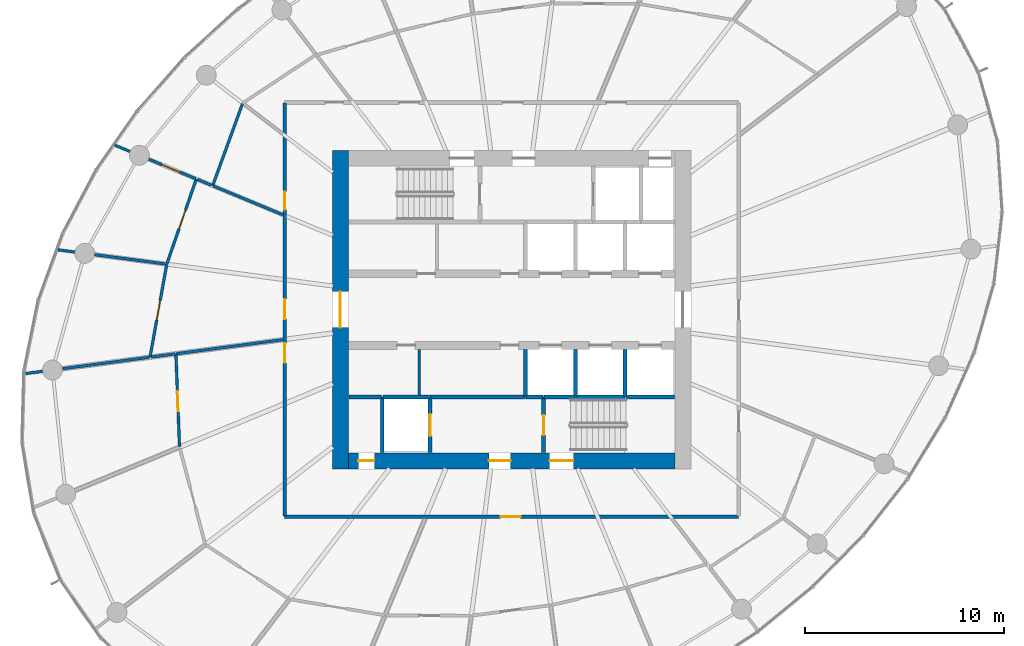
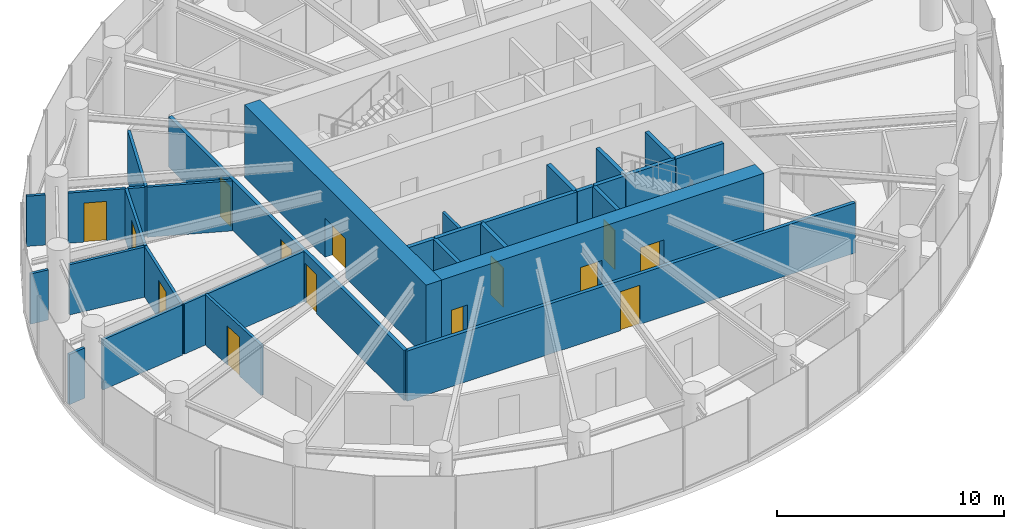
# One storey, part 9 of 15: 32 walls, 14 doors, 14 openings.
"""IFC4 building model written with IfcOpenShell, lengths in metres."""

import ifcopenshell
import ifcopenshell.guid

model = None  # the IFC model being written
_history = None  # IfcOwnerHistory: only IFC2X3 demands one
_inside = {}  # id of a spatial element -> (the spatial element, [elements in it])
_under = {}  # id of a project, library or spatial element -> (it, [spatial elements below it])
_declared = {}  # id of a project -> (the project, [libraries it declares])
_typed = {}  # id of a type object -> (the type object, [elements of that type])
_made_of = {}  # id of a material, layer set ... -> (it, [elements and type objects made of it])


def new_model(schema):
    """Start an empty IFC model of exactly this schema.

    Asked for "IFC4X3", IfcOpenShell would pick the latest addendum, in which some entities
    have other attributes; the version numbers below select the first issue.
    IFC2X3 requires an IfcOwnerHistory on every rooted entity: one is made here for all.
    """
    global model, _history
    if schema == "IFC4X3":
        model = ifcopenshell.file(schema_version=(4, 3, 0, 0))
    else:
        model = ifcopenshell.file(schema=schema)
    _inside.clear()
    _under.clear()
    _declared.clear()
    _typed.clear()
    _made_of.clear()
    _history = None
    if model.schema == "IFC2X3":
        org = make("IfcOrganization", Name="unknown")
        user = make(
            "IfcPersonAndOrganization",
            ThePerson=make("IfcPerson", FamilyName="unknown"),
            TheOrganization=org,
        )
        app = make(
            "IfcApplication",
            ApplicationDeveloper=org,
            Version="unknown",
            ApplicationFullName="unknown",
            ApplicationIdentifier="unknown",
        )
        _history = make(
            "IfcOwnerHistory",
            OwningUser=user,
            OwningApplication=app,
            ChangeAction="ADDED",
            CreationDate=0,
        )
    return model


def make(cls, **values):
    """One entity of the class cls with the attributes given. An attribute that is None is left unset."""
    return model.create_entity(
        cls, **{name: value for name, value in values.items() if value is not None}
    )


def rooted(cls, **values):
    """An entity with a GlobalId (a new one), such as an element, a storey or a relation."""
    return make(cls, GlobalId=ifcopenshell.guid.new(), OwnerHistory=_history, **values)


def si_unit(unit_type, name, prefix=None):
    """IfcSIUnit, for example si_unit("LENGTHUNIT", "METRE", prefix="MILLI")."""
    return make("IfcSIUnit", UnitType=unit_type, Prefix=prefix, Name=name)


def assignment(units):
    """IfcUnitAssignment: the units of a project."""
    return None if units is None else make("IfcUnitAssignment", Units=units)


def point(xyz):
    """IfcCartesianPoint."""
    return None if xyz is None else make("IfcCartesianPoint", Coordinates=xyz)


def direction(xyz):
    """IfcDirection."""
    return None if xyz is None else make("IfcDirection", DirectionRatios=xyz)


def frame(location, z_axis=None, x_axis=None):
    """IfcAxis2Placement3D, a coordinate frame: its origin and axes. An axis left out is left unset."""
    return make(
        "IfcAxis2Placement3D",
        Location=point(location),
        Axis=direction(z_axis),
        RefDirection=direction(x_axis),
    )


def frame_2d(location, x_axis=None):
    """IfcAxis2Placement2D, a coordinate frame in the plane: its origin and x axis."""
    return make(
        "IfcAxis2Placement2D", Location=point(location), RefDirection=direction(x_axis)
    )


def origin():
    """The frame at (0, 0, 0) with its axes left unset."""
    return frame((0.0, 0.0, 0.0))


def place(relative_to, where):
    """IfcLocalPlacement: puts the frame where relative to a parent placement (None: the world)."""
    return make(
        "IfcLocalPlacement", PlacementRelTo=relative_to, RelativePlacement=where
    )


def context(
    kind, dimensions, precision=None, world=None, true_north=None, identifier=None
):
    """IfcGeometricRepresentationContext, for example the 3D "Model" context."""
    return make(
        "IfcGeometricRepresentationContext",
        ContextIdentifier=identifier,
        ContextType=kind,
        CoordinateSpaceDimension=dimensions,
        Precision=precision,
        WorldCoordinateSystem=world,
        TrueNorth=true_north,
    )


def subcontext(parent, identifier, kind, view, scale=None):
    """IfcGeometricRepresentationSubContext, for example "Body" below "Model"."""
    return make(
        "IfcGeometricRepresentationSubContext",
        ContextIdentifier=identifier,
        ContextType=kind,
        ParentContext=parent,
        TargetScale=scale,
        TargetView=view,
    )


def project(units=None, contexts=None):
    """IfcProject with its units and contexts."""
    return rooted(
        "IfcProject",
        Name="project",
        RepresentationContexts=contexts,
        UnitsInContext=assignment(units),
    )


def spatial(cls, under=None, at=None, **own):
    """A site, building, storey or space (cls), placed at a placement, below another one or the project."""
    s = rooted(cls, ObjectPlacement=at, **own)
    if under is not None:
        _under.setdefault(under.id(), (under, []))[1].append(s)
    return s


def profile(cls, at=None, kind="AREA", **sizes):
    """A parametric profile (cls). Its sizes go by their IFC names, for example OverallWidth=200.0."""
    return make(cls, ProfileType=kind, Position=at, **sizes)


def rectangle(**sizes):
    """IfcRectangleProfileDef."""
    return profile("IfcRectangleProfileDef", **sizes)


def extrude(swept, where, along, depth):
    """IfcExtrudedAreaSolid: the profile swept, set in the frame where, extruded along a direction by depth."""
    return make(
        "IfcExtrudedAreaSolid",
        SweptArea=swept,
        Position=where,
        ExtrudedDirection=direction(along),
        Depth=depth,
    )


def shape(context_of_items, identifier, shape_type, items):
    """IfcShapeRepresentation: the items that make up one representation, for example the "Body"."""
    return make(
        "IfcShapeRepresentation",
        ContextOfItems=context_of_items,
        RepresentationIdentifier=identifier,
        RepresentationType=shape_type,
        Items=items,
    )


def source(mapping_origin, context_of_items, identifier, shape_type, items):
    """IfcRepresentationMap: a shape defined once, which mapped items show again and again."""
    return make(
        "IfcRepresentationMap",
        MappingOrigin=mapping_origin,
        MappedRepresentation=shape(context_of_items, identifier, shape_type, items),
    )


def transform(
    local_origin,
    x_axis=None,
    y_axis=None,
    z_axis=None,
    scale=None,
    scale2=None,
    scale3=None,
    uniform=True,
):
    """IfcCartesianTransformationOperator3D, or its non-uniform kind. x_axis, y_axis, z_axis: its Axis1, 2, 3."""
    if uniform:
        return make(
            "IfcCartesianTransformationOperator3D",
            Axis1=direction(x_axis),
            Axis2=direction(y_axis),
            LocalOrigin=point(local_origin),
            Scale=scale,
            Axis3=direction(z_axis),
        )
    return make(
        "IfcCartesianTransformationOperator3DnonUniform",
        Axis1=direction(x_axis),
        Axis2=direction(y_axis),
        LocalOrigin=point(local_origin),
        Scale=scale,
        Axis3=direction(z_axis),
        Scale2=scale2,
        Scale3=scale3,
    )


def mapped(mapping_source, mapping_target):
    """IfcMappedItem: shows the shape of a source again, moved by a transform."""
    return make(
        "IfcMappedItem", MappingSource=mapping_source, MappingTarget=mapping_target
    )


def material(Name=None, Category=None):
    """IfcMaterial."""
    return make("IfcMaterial", Name=Name, Category=Category)


def layer(
    of_material, thickness, ventilated=None, Name=None, Category=None, Priority=None
):
    """IfcMaterialLayer: one layer of a wall or slab, of a material (None: an air gap)."""
    return make(
        "IfcMaterialLayer",
        Material=of_material,
        LayerThickness=thickness,
        IsVentilated=ventilated,
        Name=Name,
        Category=Category,
        Priority=Priority,
    )


def layer_set(layers, Name=None):
    """IfcMaterialLayerSet."""
    return make("IfcMaterialLayerSet", MaterialLayers=layers, LayerSetName=Name)


def made_of(thing, what):
    """Note that an element or type object is made of a material, layer set ...; save() writes the relation."""
    if what is not None:
        _made_of.setdefault(what.id(), (what, []))[1].append(thing)
    return thing


def type_object(cls, material=None, **own):
    """A type object (cls), such as IfcWallType, which elements share."""
    return made_of(rooted(cls, **own), material)


def element(
    cls,
    number,
    at=None,
    inside=None,
    cuts=None,
    type_object=None,
    material=None,
    context=None,
    identifier="Body",
    shape_type=None,
    held_by="IfcProductDefinitionShape",
    body=None,
    shapes=None,
    **own,
):
    """One element of the class cls, such as IfcWall. Its Tag is "e" and its number.

    at: its placement. inside: the storey or other place that contains it. cuts: it is an
    opening in that element (IfcRelVoidsElement). A single representation is given by context,
    identifier, shape_type and body (its items); several are given by shapes. held_by: the class
    of the entity that holds the representations. save() writes the other relations.
    """
    e = rooted(cls, Tag="e%d" % number, ObjectPlacement=at, **own)
    if body is not None:
        shapes = [shape(context, identifier, shape_type, body)]
    if shapes is not None:
        e.Representation = make(held_by, Representations=shapes)
    if inside is not None:
        _inside.setdefault(inside.id(), (inside, []))[1].append(e)
    if cuts is not None:
        rooted(
            "IfcRelVoidsElement", RelatingBuildingElement=cuts, RelatedOpeningElement=e
        )
    if type_object is not None:
        _typed.setdefault(type_object.id(), (type_object, []))[1].append(e)
    return made_of(e, material)


def fill(opening, filler):
    """IfcRelFillsElement: the door or window that sits in an opening."""
    return rooted(
        "IfcRelFillsElement",
        RelatingOpeningElement=opening,
        RelatedBuildingElement=filler,
    )


def aggregate(whole, parts):
    """IfcRelAggregates: a whole, such as a stair, and the parts it consists of."""
    return rooted("IfcRelAggregates", RelatingObject=whole, RelatedObjects=parts)


def save(model, path):
    """Write the relations noted so far, then the file.

    IfcRelAggregates (storeys below a building ...), IfcRelContainedInSpatialStructure (elements
    in a storey), IfcRelDefinesByType, IfcRelAssociatesMaterial and IfcRelDeclares: one each for
    every whole, place, type object, material and project.
    """
    for whole, parts in _under.values():
        aggregate(whole, parts)
    for where, things in _inside.values():
        rooted(
            "IfcRelContainedInSpatialStructure",
            RelatedElements=things,
            RelatingStructure=where,
        )
    for kind, things in _typed.values():
        rooted("IfcRelDefinesByType", RelatedObjects=things, RelatingType=kind)
    for what, things in _made_of.values():
        rooted("IfcRelAssociatesMaterial", RelatedObjects=things, RelatingMaterial=what)
    for by, libraries in _declared.values():
        rooted("IfcRelDeclares", RelatingContext=by, RelatedDefinitions=libraries)
    model.write(path)


model = new_model("IFC4")

# Units and contexts
model_context = context("Model", 3, precision=1e-05, world=origin(), true_north=direction((0.0, 1.0)))
body_context = subcontext(model_context, "Body", "Model", "MODEL_VIEW")
ifc_project = project(units=[si_unit("LENGTHUNIT", "METRE"), si_unit("AREAUNIT", "SQUARE_METRE"), si_unit("VOLUMEUNIT", "CUBIC_METRE"), si_unit("PLANEANGLEUNIT", "RADIAN"), si_unit("MASSUNIT", "GRAM", prefix="KILO")], contexts=[model_context])

# Site, building, storey
site_placement = place(None, origin())
site = spatial("IfcSite", under=ifc_project, at=site_placement, CompositionType="ELEMENT")
building_placement = place(site_placement, origin())
building = spatial("IfcBuilding", under=site, at=building_placement, Name="Spindrift Exchange Tower", CompositionType="ELEMENT")
storey_placement = place(building_placement, frame((0.0, 0.0, 176.0)))
storey = spatial("IfcBuildingStorey", under=building, at=storey_placement, Name="L42", CompositionType="ELEMENT", Elevation=176.0)

# Wall, opening, door
ifc_material_1 = material(Name="Concrete 65 MPa", Category="concrete")
ifc_layer_1 = layer(ifc_material_1, 0.800048828125)
ifc_layer_set_1 = layer_set([ifc_layer_1], Name="RC Core Wall 800 Concrete 65 MPa")
wall_type_1 = type_object("IfcWallType", Name="RC Core Wall 800 Concrete 65 MPa", PredefinedType="SHEAR", material=ifc_layer_set_1)
wall_1_placement = place(storey_placement, frame((43.39990234375, 56.0, 0.0), z_axis=(0.0, 0.0, 1.0), x_axis=(0.0, -1.0, 0.0)))
wall_1 = element("IfcWall", 1, at=wall_1_placement, inside=storey, type_object=wall_type_1, Name="Core wall W L42", PredefinedType="SHEAR", context=body_context, shape_type="SweptSolid", body=[
    extrude(rectangle(XDim=16.0, YDim=0.800048828125, at=frame_2d((8.0, 0.0))), origin(), (0.0, 0.0, 1.0), 3.89990234375),
])
opening_1_placement = place(wall_1_placement, frame((7.10009765625, 0.0, 0.0)))
opening_1 = element("IfcOpeningElement", 2, at=opening_1_placement, cuts=wall_1, Name="Opening L42-D1", PredefinedType="OPENING", context=body_context, shape_type="SweptSolid", body=[
    extrude(rectangle(XDim=1.800048828125, YDim=2.10009765625, at=frame_2d((0.89990234375, 1.050048828125))), frame((0.0, 0.409912109375, 0.0), z_axis=(0.0, -1.0, 0.0), x_axis=(1.0, 0.0, 0.0)), (0.0, 0.0, 1.0), 0.820068359375),
])
ifc_material_2 = material(Name="Timber-core fire door", Category="wood")
door_type_1 = type_object("IfcDoorType", Name="DR-LOBBY-1800", OperationType="NOTDEFINED", PredefinedType="DOOR", material=ifc_material_2)
shared_shape_1 = source(origin(), body_context, "Body", "SweptSolid", [
    extrude(rectangle(XDim=1.800048828125, YDim=2.10009765625, at=frame_2d((0.89990234375, 1.050048828125))), frame((0.0, 0.02490234375, 0.0), z_axis=(0.0, -1.0, 0.0), x_axis=(1.0, 0.0, 0.0)), (0.0, 0.0, 1.0), 0.050048828125),
])
door_1_placement = place(opening_1_placement, origin())
door_1 = element("IfcDoor", 3, at=door_1_placement, inside=storey, type_object=door_type_1, Name="L42 Lobby door 1", OperationType="SINGLE_SWING_LEFT", OverallHeight=2.10009765625, OverallWidth=1.800048828125, PredefinedType="DOOR", context=body_context, shape_type="MappedRepresentation", body=[
    mapped(shared_shape_1, transform((0.0, 0.0, 0.0), scale=1.0)),
])
fill(opening_1, door_1)

# Wall, openings, doors
wall_2_placement = place(storey_placement, frame((43.800048828125, 40.39990234375, 0.0), z_axis=(0.0, 0.0, 1.0), x_axis=(1.0, 0.0, 0.0)))
wall_2 = element("IfcWall", 4, at=wall_2_placement, inside=storey, type_object=wall_type_1, Name="Core wall S L42", PredefinedType="SHEAR", context=body_context, shape_type="SweptSolid", body=[
    extrude(rectangle(XDim=16.39990234375, YDim=0.800048828125, at=frame_2d((8.199951171875, 0.0))), origin(), (0.0, 0.0, 1.0), 3.89990234375),
])
opening_2_placement = place(wall_2_placement, frame((10.10009765625, 0.0, 0.0)))
opening_2 = element("IfcOpeningElement", 5, at=opening_2_placement, cuts=wall_2, Name="Opening L42-D15", PredefinedType="OPENING", context=body_context, shape_type="SweptSolid", body=[
    extrude(rectangle(XDim=1.199951171875, YDim=2.10009765625, at=frame_2d((0.60009765625, 1.050048828125))), frame((0.0, 0.409912109375, 0.0), z_axis=(0.0, -1.0, 0.0), x_axis=(1.0, 0.0, 0.0)), (0.0, 0.0, 1.0), 0.820068359375),
])
opening_3_placement = place(wall_2_placement, frame((7.050048828125, 0.0, 0.0)))
opening_3 = element("IfcOpeningElement", 6, at=opening_3_placement, cuts=wall_2, Name="Opening L42-D17", PredefinedType="OPENING", context=body_context, shape_type="SweptSolid", body=[
    extrude(rectangle(XDim=1.10009765625, YDim=2.10009765625, at=frame_2d((0.550048828125, 1.050048828125))), frame((0.0, 0.409912109375, 0.0), z_axis=(0.0, -1.0, 0.0), x_axis=(1.0, 0.0, 0.0)), (0.0, 0.0, 1.0), 0.820068359375),
])
opening_4_placement = place(wall_2_placement, frame((0.5, 0.0, 0.0)))
opening_4 = element("IfcOpeningElement", 7, at=opening_4_placement, cuts=wall_2, Name="Opening L42-D18", PredefinedType="OPENING", context=body_context, shape_type="SweptSolid", body=[
    extrude(rectangle(XDim=0.800048828125, YDim=2.10009765625, at=frame_2d((0.39990234375, 1.050048828125))), frame((0.0, 0.409912109375, 0.0), z_axis=(0.0, -1.0, 0.0), x_axis=(1.0, 0.0, 0.0)), (0.0, 0.0, 1.0), 0.820068359375),
])
ifc_material_3 = material(Name="Steel fire door", Category="steel")
door_type_2 = type_object("IfcDoorType", Name="DR-STAIR-1200", OperationType="NOTDEFINED", PredefinedType="DOOR", material=ifc_material_3)
shared_shape_2 = source(origin(), body_context, "Body", "SweptSolid", [
    extrude(rectangle(XDim=1.199951171875, YDim=2.10009765625, at=frame_2d((0.60009765625, 1.050048828125))), frame((0.0, 0.02490234375, 0.0), z_axis=(0.0, -1.0, 0.0), x_axis=(1.0, 0.0, 0.0)), (0.0, 0.0, 1.0), 0.050048828125),
])
door_2_placement = place(opening_2_placement, origin())
door_2 = element("IfcDoor", 8, at=door_2_placement, inside=storey, type_object=door_type_2, Name="L42 Stair door 15", OperationType="SINGLE_SWING_RIGHT", OverallHeight=2.10009765625, OverallWidth=1.199951171875, PredefinedType="DOOR", context=body_context, shape_type="MappedRepresentation", body=[
    mapped(shared_shape_2, transform((0.0, 0.0, 0.0), scale=1.0)),
])
fill(opening_2, door_2)
door_type_3 = type_object("IfcDoorType", Name="DR-LOBBY-1100", OperationType="NOTDEFINED", PredefinedType="DOOR", material=ifc_material_2)
shared_shape_3 = source(origin(), body_context, "Body", "SweptSolid", [
    extrude(rectangle(XDim=1.10009765625, YDim=2.10009765625, at=frame_2d((0.550048828125, 1.050048828125))), frame((0.0, 0.02490234375, 0.0), z_axis=(0.0, -1.0, 0.0), x_axis=(1.0, 0.0, 0.0)), (0.0, 0.0, 1.0), 0.050048828125),
])
door_3_placement = place(opening_3_placement, origin())
door_3 = element("IfcDoor", 9, at=door_3_placement, inside=storey, type_object=door_type_3, Name="L42 Lobby door 17", OperationType="SINGLE_SWING_RIGHT", OverallHeight=2.10009765625, OverallWidth=1.10009765625, PredefinedType="DOOR", context=body_context, shape_type="MappedRepresentation", body=[
    mapped(shared_shape_3, transform((0.0, 0.0, 0.0), scale=1.0)),
])
fill(opening_3, door_3)
ifc_material_4 = material(Name="Steel access door", Category="steel")
door_type_4 = type_object("IfcDoorType", Name="DR-RISER-800", OperationType="NOTDEFINED", PredefinedType="DOOR", material=ifc_material_4)
shared_shape_4 = source(origin(), body_context, "Body", "SweptSolid", [
    extrude(rectangle(XDim=0.800048828125, YDim=2.10009765625, at=frame_2d((0.39990234375, 1.050048828125))), frame((0.0, 0.02490234375, 0.0), z_axis=(0.0, -1.0, 0.0), x_axis=(1.0, 0.0, 0.0)), (0.0, 0.0, 1.0), 0.050048828125),
])
door_4_placement = place(opening_4_placement, origin())
door_4 = element("IfcDoor", 10, at=door_4_placement, inside=storey, type_object=door_type_4, Name="L42 Riser door 18", OperationType="SINGLE_SWING_LEFT", OverallHeight=2.10009765625, OverallWidth=0.800048828125, PredefinedType="DOOR", context=body_context, shape_type="MappedRepresentation", body=[
    mapped(shared_shape_4, transform((0.0, 0.0, 0.0), scale=1.0)),
])
fill(opening_4, door_4)

# Wall, opening, door
ifc_material_5 = material(Name="Fire-rated plasterboard partition", Category="gypsum")
ifc_layer_2 = layer(ifc_material_5, 0.179931640625)
ifc_layer_set_2 = layer_set([ifc_layer_2], Name="W-CORR-180")
wall_type_2 = type_object("IfcWallType", Name="W-CORR-180", PredefinedType="PARTITIONING", material=ifc_layer_set_2)
wall_3_placement = place(storey_placement, frame((63.39990234375, 37.60009765625, 0.0), z_axis=(0.0, 0.0, 1.0), x_axis=(-1.0, 0.0, 0.0)))
wall_3 = element("IfcWall", 11, at=wall_3_placement, inside=storey, type_object=wall_type_2, Name="L42 Partition wall 28", PredefinedType="PARTITIONING", context=body_context, shape_type="SweptSolid", body=[
    extrude(rectangle(XDim=22.7998046875, YDim=0.179931640625, at=frame_2d((11.39990234375, 0.0))), origin(), (0.0, 0.0, 1.0), 2.699951171875),
])
opening_5_placement = place(wall_3_placement, frame((10.949951171875, 0.0, 0.0)))
opening_5 = element("IfcOpeningElement", 12, at=opening_5_placement, cuts=wall_3, Name="Opening L42-D30", PredefinedType="OPENING", context=body_context, shape_type="SweptSolid", body=[
    extrude(rectangle(XDim=1.0, YDim=2.10009765625, at=frame_2d((0.5, 1.050048828125))), frame((0.0, 0.099853515625, 0.0), z_axis=(0.0, -1.0, 0.0), x_axis=(1.0, 0.0, 0.0)), (0.0, 0.0, 1.0), 0.199951171875),
])
door_type_5 = type_object("IfcDoorType", Name="DR-ROOM-1000", OperationType="NOTDEFINED", PredefinedType="DOOR", material=ifc_material_2)
shared_shape_5 = source(origin(), body_context, "Body", "SweptSolid", [
    extrude(rectangle(XDim=1.0, YDim=2.10009765625, at=frame_2d((0.5, 1.050048828125))), frame((0.0, 0.02490234375, 0.0), z_axis=(0.0, -1.0, 0.0), x_axis=(1.0, 0.0, 0.0)), (0.0, 0.0, 1.0), 0.050048828125),
])
door_5_placement = place(opening_5_placement, origin())
door_5 = element("IfcDoor", 13, at=door_5_placement, inside=storey, type_object=door_type_5, Name="L42 Door 30", OperationType="SINGLE_SWING_LEFT", OverallHeight=2.10009765625, OverallWidth=1.0, PredefinedType="DOOR", context=body_context, shape_type="MappedRepresentation", body=[
    mapped(shared_shape_5, transform((0.0, 0.0, 0.0), scale=1.0)),
])
fill(opening_5, door_5)

# Wall, openings, doors
wall_4_placement = place(storey_placement, frame((40.60009765625, 37.6298828125, 0.0), z_axis=(0.0, 0.0, 1.0), x_axis=(0.0, 1.0, 0.0)))
wall_4 = element("IfcWall", 14, at=wall_4_placement, inside=storey, type_object=wall_type_2, Name="L42 Partition wall 30", PredefinedType="PARTITIONING", context=body_context, shape_type="SweptSolid", body=[
    extrude(rectangle(XDim=20.740234375, YDim=0.179931640625, at=frame_2d((10.3701171875, 0.0))), origin(), (0.0, 0.0, 1.0), 2.699951171875),
])
opening_6_placement = place(wall_4_placement, frame((15.389892578125, 0.0, 0.0)))
opening_6 = element("IfcOpeningElement", 15, at=opening_6_placement, cuts=wall_4, Name="Opening L42-D20", PredefinedType="OPENING", context=body_context, shape_type="SweptSolid", body=[
    extrude(rectangle(XDim=0.89990234375, YDim=2.10009765625, at=frame_2d((0.449951171875, 1.050048828125))), frame((0.0, 0.099853515625, 0.0), z_axis=(0.0, -1.0, 0.0), x_axis=(1.0, 0.0, 0.0)), (0.0, 0.0, 1.0), 0.199951171875),
])
opening_7_placement = place(wall_4_placement, frame((9.889892578125, 0.0, 0.0)))
opening_7 = element("IfcOpeningElement", 16, at=opening_7_placement, cuts=wall_4, Name="Opening L42-D21", PredefinedType="OPENING", context=body_context, shape_type="SweptSolid", body=[
    extrude(rectangle(XDim=1.0, YDim=2.10009765625, at=frame_2d((0.5, 1.050048828125))), frame((0.0, 0.099853515625, 0.0), z_axis=(0.0, -1.0, 0.0), x_axis=(1.0, 0.0, 0.0)), (0.0, 0.0, 1.0), 0.199951171875),
])
opening_8_placement = place(wall_4_placement, frame((7.68994140625, 0.0, 0.0)))
opening_8 = element("IfcOpeningElement", 17, at=opening_8_placement, cuts=wall_4, Name="Opening L42-D25", PredefinedType="OPENING", context=body_context, shape_type="SweptSolid", body=[
    extrude(rectangle(XDim=1.0, YDim=2.10009765625, at=frame_2d((0.5, 1.050048828125))), frame((0.0, 0.099853515625, 0.0), z_axis=(0.0, -1.0, 0.0), x_axis=(1.0, 0.0, 0.0)), (0.0, 0.0, 1.0), 0.199951171875),
])
door_6_placement = place(opening_7_placement, origin())
door_6 = element("IfcDoor", 18, at=door_6_placement, inside=storey, type_object=door_type_5, Name="L42 Door 21", OperationType="SINGLE_SWING_RIGHT", OverallHeight=2.10009765625, OverallWidth=1.0, PredefinedType="DOOR", context=body_context, shape_type="MappedRepresentation", body=[
    mapped(shared_shape_5, transform((0.0, 0.0, 0.0), scale=1.0)),
])
fill(opening_7, door_6)
door_7_placement = place(opening_8_placement, origin())
door_7 = element("IfcDoor", 19, at=door_7_placement, inside=storey, type_object=door_type_5, Name="L42 Door 25", OperationType="SINGLE_SWING_RIGHT", OverallHeight=2.10009765625, OverallWidth=1.0, PredefinedType="DOOR", context=body_context, shape_type="MappedRepresentation", body=[
    mapped(shared_shape_5, transform((0.0, 0.0, 0.0), scale=1.0)),
])
fill(opening_8, door_7)
ifc_material_6 = material(Name="Laminate washroom door", Category="wood")
door_type_6 = type_object("IfcDoorType", Name="DR-WC-900", OperationType="NOTDEFINED", PredefinedType="DOOR", material=ifc_material_6)
shared_shape_6 = source(origin(), body_context, "Body", "SweptSolid", [
    extrude(rectangle(XDim=0.89990234375, YDim=2.10009765625, at=frame_2d((0.449951171875, 1.050048828125))), frame((0.0, 0.02490234375, 0.0), z_axis=(0.0, -1.0, 0.0), x_axis=(1.0, 0.0, 0.0)), (0.0, 0.0, 1.0), 0.050048828125),
])
door_8_placement = place(opening_6_placement, origin())
door_8 = element("IfcDoor", 20, at=door_8_placement, inside=storey, type_object=door_type_6, Name="L42 WC door 20", OperationType="SINGLE_SWING_LEFT", OverallHeight=2.10009765625, OverallWidth=0.89990234375, PredefinedType="DOOR", context=body_context, shape_type="MappedRepresentation", body=[
    mapped(shared_shape_6, transform((0.0, 0.0, 0.0), scale=1.0)),
])
fill(opening_6, door_8)

# Wall
ifc_layer_3 = layer(ifc_material_5, 0.139892578125)
ifc_layer_set_3 = layer_set([ifc_layer_3], Name="W-PART-140")
wall_type_3 = type_object("IfcWallType", Name="W-PART-140", PredefinedType="PARTITIONING", material=ifc_layer_set_3)
wall_5_placement = place(storey_placement, frame((40.510009765625, 46.4873046875, 0.0), z_axis=(0.0, 0.0, 1.0), x_axis=(-0.991447698831, -0.130504637781, 0.0)))
element("IfcWall", 21, at=wall_5_placement, inside=storey, type_object=wall_type_3, Name="L42 Partition wall 32", PredefinedType="PARTITIONING", context=body_context, shape_type="SweptSolid", body=[
    extrude(rectangle(XDim=5.417724609375, YDim=0.139892578125, at=frame_2d((2.708984375, 0.0))), origin(), (0.0, 0.0, 1.0), 2.699951171875),
])

# Wall, opening, door
wall_6_placement = place(storey_placement, frame((33.83837890625, 45.60888671875, 0.0), z_axis=(0.0, 0.0, 1.0), x_axis=(0.177038409818, 0.984203943016, 0.0)))
wall_6 = element("IfcWall", 22, at=wall_6_placement, inside=storey, type_object=wall_type_3, Name="L42 Partition wall 49", PredefinedType="PARTITIONING", context=body_context, shape_type="SweptSolid", body=[
    extrude(rectangle(XDim=4.74658203125, YDim=0.139892578125, at=frame_2d((2.373291015625, 0.0))), origin(), (0.0, 0.0, 1.0), 2.699951171875),
])
opening_9_placement = place(wall_6_placement, frame((1.896484375, 0.0, 0.0)))
opening_9 = element("IfcOpeningElement", 23, at=opening_9_placement, cuts=wall_6, Name="Opening L42-D23", PredefinedType="OPENING", context=body_context, shape_type="SweptSolid", body=[
    extrude(rectangle(XDim=1.0, YDim=2.10009765625, at=frame_2d((0.5, 1.050048828125))), frame((0.0, 0.079833984375, 0.0), z_axis=(0.0, -1.0, 0.0), x_axis=(1.0, 0.0, 0.0)), (0.0, 0.0, 1.0), 0.159912109375),
])
door_9_placement = place(opening_9_placement, origin())
door_9 = element("IfcDoor", 24, at=door_9_placement, inside=storey, type_object=door_type_5, Name="L42 Door 23", OperationType="SINGLE_SWING_RIGHT", OverallHeight=2.10009765625, OverallWidth=1.0, PredefinedType="DOOR", context=body_context, shape_type="MappedRepresentation", body=[
    mapped(shared_shape_5, transform((0.0, 0.0, 0.0), scale=1.0)),
])
fill(opening_9, door_9)

wall_7_placement = place(storey_placement, frame((35.3193359375, 41.12109375, 0.0), z_axis=(0.0, 0.0, 1.0), x_axis=(-0.038734687245, 0.9992495304, 0.0)))
wall_7 = element("IfcWall", 25, at=wall_7_placement, inside=storey, type_object=wall_type_3, Name="L42 Partition wall 50", PredefinedType="PARTITIONING", context=body_context, shape_type="SweptSolid", body=[
    extrude(rectangle(XDim=4.632568359375, YDim=0.139892578125, at=frame_2d((2.31640625, 0.0))), origin(), (0.0, 0.0, 1.0), 2.699951171875),
])
opening_10_placement = place(wall_7_placement, frame((1.78271484375, 0.0, 0.0)))
opening_10 = element("IfcOpeningElement", 26, at=opening_10_placement, cuts=wall_7, Name="Opening L42-D26", PredefinedType="OPENING", context=body_context, shape_type="SweptSolid", body=[
    extrude(rectangle(XDim=1.0, YDim=2.10009765625, at=frame_2d((0.5, 1.050048828125))), frame((0.0, 0.079833984375, 0.0), z_axis=(0.0, -1.0, 0.0), x_axis=(1.0, 0.0, 0.0)), (0.0, 0.0, 1.0), 0.159912109375),
])
door_10_placement = place(opening_10_placement, origin())
door_10 = element("IfcDoor", 27, at=door_10_placement, inside=storey, type_object=door_type_5, Name="L42 Door 26", OperationType="SINGLE_SWING_LEFT", OverallHeight=2.10009765625, OverallWidth=1.0, PredefinedType="DOOR", context=body_context, shape_type="MappedRepresentation", body=[
    mapped(shared_shape_5, transform((0.0, 0.0, 0.0), scale=1.0)),
])
fill(opening_10, door_10)

wall_8_placement = place(storey_placement, frame((34.688720703125, 50.30859375, 0.0), z_axis=(0.0, 0.0, 1.0), x_axis=(0.327550319444, 0.944833735761, 0.0)))
wall_8 = element("IfcWall", 28, at=wall_8_placement, inside=storey, type_object=wall_type_3, Name="L42 Partition wall 51", PredefinedType="PARTITIONING", context=body_context, shape_type="SweptSolid", body=[
    extrude(rectangle(XDim=4.499755859375, YDim=0.139892578125, at=frame_2d((2.25, 0.0))), origin(), (0.0, 0.0, 1.0), 2.699951171875),
])
opening_11_placement = place(wall_8_placement, frame((1.849609375, 0.0, 0.0)))
opening_11 = element("IfcOpeningElement", 29, at=opening_11_placement, cuts=wall_8, Name="Opening L42-D22", PredefinedType="OPENING", context=body_context, shape_type="SweptSolid", body=[
    extrude(rectangle(XDim=1.0, YDim=2.10009765625, at=frame_2d((0.5, 1.050048828125))), frame((0.0, 0.079833984375, 0.0), z_axis=(0.0, -1.0, 0.0), x_axis=(1.0, 0.0, 0.0)), (0.0, 0.0, 1.0), 0.159912109375),
])
door_11_placement = place(opening_11_placement, origin())
door_11 = element("IfcDoor", 30, at=door_11_placement, inside=storey, type_object=door_type_5, Name="L42 Door 22", OperationType="SINGLE_SWING_LEFT", OverallHeight=2.10009765625, OverallWidth=1.0, PredefinedType="DOOR", context=body_context, shape_type="MappedRepresentation", body=[
    mapped(shared_shape_5, transform((0.0, 0.0, 0.0), scale=1.0)),
])
fill(opening_11, door_11)

# Walls
wall_9_placement = place(storey_placement, frame((33.80859375, 45.60498046875, 0.0), z_axis=(0.0, 0.0, 1.0), x_axis=(-0.991450902156, -0.130480299714, 0.0)))
element("IfcWall", 31, at=wall_9_placement, inside=storey, type_object=wall_type_3, Name="L42 Partition wall 54", PredefinedType="PARTITIONING", context=body_context, shape_type="SweptSolid", body=[
    extrude(rectangle(XDim=4.408203125, YDim=0.139892578125, at=frame_2d((2.2041015625, 0.0))), origin(), (0.0, 0.0, 1.0), 2.699951171875),
])
wall_10_placement = place(storey_placement, frame((38.481689453125, 58.3369140625, 0.0), z_axis=(0.0, 0.0, 1.0), x_axis=(-0.342007049078, -0.939697386599, 0.0)))
element("IfcWall", 32, at=wall_10_placement, inside=storey, type_object=wall_type_3, Name="L42 Partition wall 56", PredefinedType="PARTITIONING", context=body_context, shape_type="SweptSolid", body=[
    extrude(rectangle(XDim=4.380859375, YDim=0.139892578125, at=frame_2d((2.1904296875, 0.0))), origin(), (0.0, 0.0, 1.0), 2.699951171875),
])
wall_11_placement = place(storey_placement, frame((40.510009765625, 52.75927734375, 0.0), z_axis=(0.0, 0.0, 1.0), x_axis=(-0.92389112775, 0.382655437784, 0.0)))
element("IfcWall", 33, at=wall_11_placement, inside=storey, type_object=wall_type_3, Name="L42 Partition wall 68", PredefinedType="PARTITIONING", context=body_context, shape_type="SweptSolid", body=[
    extrude(rectangle(XDim=3.787353515625, YDim=0.139892578125, at=frame_2d((1.8935546875, 0.0))), origin(), (0.0, 0.0, 1.0), 2.699951171875),
])
wall_12_placement = place(storey_placement, frame((34.609375, 50.28955078125, 0.0), z_axis=(0.0, 0.0, 1.0), x_axis=(-0.991449189531, 0.130493312389, 0.0)))
element("IfcWall", 34, at=wall_12_placement, inside=storey, type_object=wall_type_3, Name="L42 Partition wall 70", PredefinedType="PARTITIONING", context=body_context, shape_type="SweptSolid", body=[
    extrude(rectangle(XDim=3.580810546875, YDim=0.139892578125, at=frame_2d((1.79052734375, 0.0))), origin(), (0.0, 0.0, 1.0), 2.699951171875),
])

# Wall, opening, door
wall_13_placement = place(storey_placement, frame((33.767333984375, 55.55224609375, 0.0), z_axis=(0.0, 0.0, 1.0), x_axis=(0.923880985108, -0.382679925467, 0.0)))
wall_13 = element("IfcWall", 35, at=wall_13_placement, inside=storey, type_object=wall_type_3, Name="L42 Partition wall 76", PredefinedType="PARTITIONING", context=body_context, shape_type="SweptSolid", body=[
    extrude(rectangle(XDim=2.562744140625, YDim=0.139892578125, at=frame_2d((1.28125, 0.0))), origin(), (0.0, 0.0, 1.0), 2.699951171875),
])
opening_12_placement = place(wall_13_placement, frame((0.712646484375, 0.0, 0.0)))
opening_12 = element("IfcOpeningElement", 36, at=opening_12_placement, cuts=wall_13, Name="Opening L42-D24", PredefinedType="OPENING", context=body_context, shape_type="SweptSolid", body=[
    extrude(rectangle(XDim=1.0, YDim=2.10009765625, at=frame_2d((0.5, 1.050048828125))), frame((0.0, 0.079833984375, 0.0), z_axis=(0.0, -1.0, 0.0), x_axis=(1.0, 0.0, 0.0)), (0.0, 0.0, 1.0), 0.159912109375),
])
door_12_placement = place(opening_12_placement, origin())
door_12 = element("IfcDoor", 37, at=door_12_placement, inside=storey, type_object=door_type_5, Name="L42 Door 24", OperationType="SINGLE_SWING_LEFT", OverallHeight=2.10009765625, OverallWidth=1.0, PredefinedType="DOOR", context=body_context, shape_type="MappedRepresentation", body=[
    mapped(shared_shape_5, transform((0.0, 0.0, 0.0), scale=1.0)),
])
fill(opening_12, door_12)

# Walls
wall_14_placement = place(storey_placement, frame((47.360107421875, 43.699951171875, 0.0), z_axis=(0.0, 0.0, 1.0), x_axis=(0.0, 1.0, 0.0)))
element("IfcWall", 38, at=wall_14_placement, inside=storey, type_object=wall_type_3, Name="L42 Partition wall 77", PredefinedType="PARTITIONING", context=body_context, shape_type="SweptSolid", body=[
    extrude(rectangle(XDim=2.2900390625, YDim=0.139892578125, at=frame_2d((1.14501953125, 0.0))), origin(), (0.0, 0.0, 1.0), 2.699951171875),
])
wall_15_placement = place(storey_placement, frame((35.10888671875, 45.776123046875, 0.0), z_axis=(0.0, 0.0, 1.0), x_axis=(-0.991468047208, -0.130349957287, 0.0)))
element("IfcWall", 39, at=wall_15_placement, inside=storey, type_object=wall_type_3, Name="L42 Partition wall 82", PredefinedType="PARTITIONING", context=body_context, shape_type="SweptSolid", body=[
    extrude(rectangle(XDim=1.2080078125, YDim=0.139892578125, at=frame_2d((0.60400390625, 0.0))), origin(), (0.0, 0.0, 1.0), 2.699951171875),
])
wall_16_placement = place(storey_placement, frame((36.918701171875, 54.246826171875, 0.0), z_axis=(0.0, 0.0, 1.0), x_axis=(-0.923885623343, 0.382668727465, 0.0)))
element("IfcWall", 40, at=wall_16_placement, inside=storey, type_object=wall_type_3, Name="L42 Partition wall 92", PredefinedType="PARTITIONING", context=body_context, shape_type="SweptSolid", body=[
    extrude(rectangle(XDim=0.748291015625, YDim=0.139892578125, at=frame_2d((0.3740234375, 0.0))), origin(), (0.0, 0.0, 1.0), 2.699951171875),
])
wall_17_placement = place(storey_placement, frame((30.058837890625, 50.888671875, 0.0), z_axis=(0.0, 0.0, 1.0), x_axis=(-0.991446500326, 0.130513742537, 0.0)))
element("IfcWall", 41, at=wall_17_placement, inside=storey, type_object=wall_type_3, Name="L42 Partition wall 93", PredefinedType="PARTITIONING", context=body_context, shape_type="SweptSolid", body=[
    extrude(rectangle(XDim=0.85302734375, YDim=0.139892578125, at=frame_2d((0.426513671875, 0.0))), origin(), (0.0, 0.0, 1.0), 2.699951171875),
])
wall_18_placement = place(storey_placement, frame((28.43798828125, 44.89794921875, 0.0), z_axis=(0.0, 0.0, 1.0), x_axis=(-0.991432738393, -0.130618242377, 0.0)))
element("IfcWall", 42, at=wall_18_placement, inside=storey, type_object=wall_type_3, Name="L42 Partition wall 96", PredefinedType="PARTITIONING", context=body_context, shape_type="SweptSolid", body=[
    extrude(rectangle(XDim=0.8486328125, YDim=0.139892578125, at=frame_2d((0.42431640625, 0.0))), origin(), (0.0, 0.0, 1.0), 2.699951171875),
])
wall_19_placement = place(storey_placement, frame((32.833984375, 55.938720703125, 0.0), z_axis=(0.0, 0.0, 1.0), x_axis=(-0.923909393783, 0.382611332921, 0.0)))
element("IfcWall", 43, at=wall_19_placement, inside=storey, type_object=wall_type_3, Name="L42 Partition wall 99", PredefinedType="PARTITIONING", context=body_context, shape_type="SweptSolid", body=[
    extrude(rectangle(XDim=0.830810546875, YDim=0.139892578125, at=frame_2d((0.41552734375, 0.0))), origin(), (0.0, 0.0, 1.0), 2.699951171875),
])
ifc_material_7 = material(Name="Concrete 40 MPa", Category="concrete")
ifc_layer_4 = layer(ifc_material_7, 0.199951171875)
ifc_layer_set_4 = layer_set([ifc_layer_4], Name="W-SHAFT-200")
wall_type_4 = type_object("IfcWallType", Name="W-SHAFT-200", PredefinedType="SOLIDWALL", material=ifc_layer_set_4)
wall_20_placement = place(storey_placement, frame((52.699951171875, 43.60009765625, 0.0), z_axis=(0.0, 0.0, 1.0), x_axis=(-1.0, 0.0, 0.0)))
element("IfcWall", 44, at=wall_20_placement, inside=storey, type_object=wall_type_4, Name="L42 Shaft wall 2", PredefinedType="SOLIDWALL", context=body_context, shape_type="SweptSolid", body=[
    extrude(rectangle(XDim=4.800048828125, YDim=0.199951171875, at=frame_2d((2.39990234375, 0.0))), origin(), (0.0, 0.0, 1.0), 3.39990234375),
])
wall_21_placement = place(storey_placement, frame((45.5, 43.60009765625, 0.0), z_axis=(0.0, 0.0, 1.0), x_axis=(0.0, -1.0, 0.0)))
element("IfcWall", 45, at=wall_21_placement, inside=storey, type_object=wall_type_4, Name="L42 Shaft wall 3", PredefinedType="SOLIDWALL", context=body_context, shape_type="SweptSolid", body=[
    extrude(rectangle(XDim=2.780029296875, YDim=0.199951171875, at=frame_2d((1.39013671875, 0.0))), origin(), (0.0, 0.0, 1.0), 3.39990234375),
])

# Wall, opening, door
wall_22_placement = place(storey_placement, frame((47.89990234375, 40.820068359375, 0.0), z_axis=(0.0, 0.0, 1.0), x_axis=(0.0, 1.0, 0.0)))
wall_22 = element("IfcWall", 46, at=wall_22_placement, inside=storey, type_object=wall_type_4, Name="L42 Shaft wall 4", PredefinedType="SOLIDWALL", context=body_context, shape_type="SweptSolid", body=[
    extrude(rectangle(XDim=2.75, YDim=0.199951171875, at=frame_2d((1.375, 0.0))), origin(), (0.0, 0.0, 1.0), 3.39990234375),
])
opening_13_placement = place(wall_22_placement, frame((0.830078125, 0.0, 0.0)))
opening_13 = element("IfcOpeningElement", 47, at=opening_13_placement, cuts=wall_22, Name="Opening L42-D10", PredefinedType="OPENING", context=body_context, shape_type="SweptSolid", body=[
    extrude(rectangle(XDim=1.10009765625, YDim=2.10009765625, at=frame_2d((0.550048828125, 1.050048828125))), frame((0.0, 0.10986328125, 0.0), z_axis=(0.0, -1.0, 0.0), x_axis=(1.0, 0.0, 0.0)), (0.0, 0.0, 1.0), 0.219970703125),
])
ifc_material_8 = material(Name="Stainless steel landing door", Category="steel")
door_type_7 = type_object("IfcDoorType", Name="DR-LANDING-1100-SL", OperationType="DOUBLE_DOOR_SLIDING", PredefinedType="USERDEFINED", material=ifc_material_8)
shared_shape_7 = source(origin(), body_context, "Body", "SweptSolid", [
    extrude(rectangle(XDim=1.10009765625, YDim=2.10009765625, at=frame_2d((0.550048828125, 1.050048828125))), frame((0.0, 0.02490234375, 0.0), z_axis=(0.0, -1.0, 0.0), x_axis=(1.0, 0.0, 0.0)), (0.0, 0.0, 1.0), 0.050048828125),
])
door_13_placement = place(opening_13_placement, origin())
door_13 = element("IfcDoor", 48, at=door_13_placement, inside=storey, type_object=door_type_7, Name="L42 Lift landing door 10", ObjectType="LANDING DOOR", OperationType="DOUBLE_DOOR_SLIDING", OverallHeight=2.10009765625, OverallWidth=1.10009765625, PredefinedType="USERDEFINED", context=body_context, shape_type="MappedRepresentation", body=[
    mapped(shared_shape_7, transform((0.0, 0.0, 0.0), scale=1.0)),
])
fill(opening_13, door_13)

# Walls
wall_23_placement = place(storey_placement, frame((47.8701171875, 43.60009765625, 0.0), z_axis=(0.0, 0.0, 1.0), x_axis=(-1.0, 0.0, 0.0)))
element("IfcWall", 49, at=wall_23_placement, inside=storey, type_object=wall_type_4, Name="L42 Shaft wall 12", PredefinedType="SOLIDWALL", context=body_context, shape_type="SweptSolid", body=[
    extrude(rectangle(XDim=2.340087890625, YDim=0.199951171875, at=frame_2d((1.169921875, 0.0))), origin(), (0.0, 0.0, 1.0), 3.39990234375),
])
wall_24_placement = place(storey_placement, frame((52.699951171875, 45.989990234375, 0.0), z_axis=(0.0, 0.0, 1.0), x_axis=(0.0, -1.0, 0.0)))
element("IfcWall", 50, at=wall_24_placement, inside=storey, type_object=wall_type_4, Name="L42 Shaft wall 13", PredefinedType="SOLIDWALL", context=body_context, shape_type="SweptSolid", body=[
    extrude(rectangle(XDim=2.360107421875, YDim=0.199951171875, at=frame_2d((1.18017578125, 0.0))), origin(), (0.0, 0.0, 1.0), 3.39990234375),
])
wall_25_placement = place(storey_placement, frame((45.469970703125, 43.60009765625, 0.0), z_axis=(0.0, 0.0, 1.0), x_axis=(-1.0, 0.0, 0.0)))
element("IfcWall", 51, at=wall_25_placement, inside=storey, type_object=wall_type_4, Name="L42 Shaft wall 20", PredefinedType="SOLIDWALL", context=body_context, shape_type="SweptSolid", body=[
    extrude(rectangle(XDim=1.64990234375, YDim=0.199951171875, at=frame_2d((0.824951171875, 0.0))), origin(), (0.0, 0.0, 1.0), 3.39990234375),
])

# Wall, opening, door
ifc_layer_5 = layer(ifc_material_7, 0.199951171875)
ifc_layer_set_5 = layer_set([ifc_layer_5], Name="W-SHAFT-200-LB")
wall_type_5 = type_object("IfcWallType", Name="W-SHAFT-200-LB", PredefinedType="SOLIDWALL", material=ifc_layer_set_5)
wall_26_placement = place(storey_placement, frame((53.60009765625, 43.60009765625, 0.0), z_axis=(0.0, 0.0, 1.0), x_axis=(0.0, -1.0, 0.0)))
wall_26 = element("IfcWall", 52, at=wall_26_placement, inside=storey, type_object=wall_type_5, Name="L42 Shaft wall 6", PredefinedType="SOLIDWALL", context=body_context, shape_type="SweptSolid", body=[
    extrude(rectangle(XDim=2.780029296875, YDim=0.199951171875, at=frame_2d((1.39013671875, 0.0))), origin(), (0.0, 0.0, 1.0), 3.39990234375),
])
opening_14_placement = place(wall_26_placement, frame((0.89990234375, 0.0, 0.0)))
opening_14 = element("IfcOpeningElement", 53, at=opening_14_placement, cuts=wall_26, Name="Opening L42-D16", PredefinedType="OPENING", context=body_context, shape_type="SweptSolid", body=[
    extrude(rectangle(XDim=1.0, YDim=2.10009765625, at=frame_2d((0.5, 1.050048828125))), frame((0.0, 0.10986328125, 0.0), z_axis=(0.0, -1.0, 0.0), x_axis=(1.0, 0.0, 0.0)), (0.0, 0.0, 1.0), 0.219970703125),
])
door_type_8 = type_object("IfcDoorType", Name="DR-STAIR-1000", OperationType="NOTDEFINED", PredefinedType="DOOR", material=ifc_material_3)
shared_shape_8 = source(origin(), body_context, "Body", "SweptSolid", [
    extrude(rectangle(XDim=1.0, YDim=2.10009765625, at=frame_2d((0.5, 1.050048828125))), frame((0.0, 0.02490234375, 0.0), z_axis=(0.0, -1.0, 0.0), x_axis=(1.0, 0.0, 0.0)), (0.0, 0.0, 1.0), 0.050048828125),
])
door_14_placement = place(opening_14_placement, origin())
door_14 = element("IfcDoor", 54, at=door_14_placement, inside=storey, type_object=door_type_8, Name="L42 Stair door 16", OperationType="SINGLE_SWING_LEFT", OverallHeight=2.10009765625, OverallWidth=1.0, PredefinedType="DOOR", context=body_context, shape_type="MappedRepresentation", body=[
    mapped(shared_shape_8, transform((0.0, 0.0, 0.0), scale=1.0)),
])
fill(opening_14, door_14)

# Walls
wall_27_placement = place(storey_placement, frame((55.199951171875, 43.60009765625, 0.0), z_axis=(0.0, 0.0, 1.0), x_axis=(1.0, 0.0, 0.0)))
element("IfcWall", 55, at=wall_27_placement, inside=storey, type_object=wall_type_5, Name="L42 Shaft wall 10", PredefinedType="SOLIDWALL", context=body_context, shape_type="SweptSolid", body=[
    extrude(rectangle(XDim=2.5, YDim=0.199951171875, at=frame_2d((1.25, 0.0))), origin(), (0.0, 0.0, 1.0), 3.39990234375),
])
wall_28_placement = place(storey_placement, frame((57.72998046875, 43.60009765625, 0.0), z_axis=(0.0, 0.0, 1.0), x_axis=(1.0, 0.0, 0.0)))
element("IfcWall", 56, at=wall_28_placement, inside=storey, type_object=wall_type_5, Name="L42 Shaft wall 11", PredefinedType="SOLIDWALL", context=body_context, shape_type="SweptSolid", body=[
    extrude(rectangle(XDim=2.449951171875, YDim=0.199951171875, at=frame_2d((1.22509765625, 0.0))), origin(), (0.0, 0.0, 1.0), 3.39990234375),
])
for number, where, z_axis, x_axis, name in (
    (57, (55.199951171875, 43.6298828125, 0.0), (0.0, 0.0, 1.0), (0.0, 1.0, 0.0), "L42 Shaft wall 15"),
    (58, (57.699951171875, 43.6298828125, 0.0), (0.0, 0.0, 1.0), (0.0, 1.0, 0.0), "L42 Shaft wall 17"),
):
    element("IfcWall", number, at=place(storey_placement, frame(where, z_axis=z_axis, x_axis=x_axis)), inside=storey, type_object=wall_type_5, Name=name, PredefinedType="SOLIDWALL", context=body_context, shape_type="SweptSolid", body=[
        extrude(rectangle(XDim=2.360107421875, YDim=0.199951171875, at=frame_2d((1.18017578125, 0.0))), origin(), (0.0, 0.0, 1.0), 3.39990234375),
    ])
wall_29_placement = place(storey_placement, frame((53.6298828125, 43.60009765625, 0.0), z_axis=(0.0, 0.0, 1.0), x_axis=(1.0, 0.0, 0.0)))
element("IfcWall", 59, at=wall_29_placement, inside=storey, type_object=wall_type_5, Name="L42 Shaft wall 22", PredefinedType="SOLIDWALL", context=body_context, shape_type="SweptSolid", body=[
    extrude(rectangle(XDim=1.5400390625, YDim=0.199951171875, at=frame_2d((0.77001953125, 0.0))), origin(), (0.0, 0.0, 1.0), 3.39990234375),
])
wall_30_placement = place(storey_placement, frame((52.72998046875, 43.60009765625, 0.0), z_axis=(0.0, 0.0, 1.0), x_axis=(1.0, 0.0, 0.0)))
element("IfcWall", 60, at=wall_30_placement, inside=storey, type_object=wall_type_5, Name="L42 Shaft wall 24", PredefinedType="SOLIDWALL", context=body_context, shape_type="SweptSolid", body=[
    extrude(rectangle(XDim=0.840087890625, YDim=0.199951171875, at=frame_2d((0.419921875, 0.0))), origin(), (0.0, 0.0, 1.0), 3.39990234375),
])

save(model, "model.ifc")
